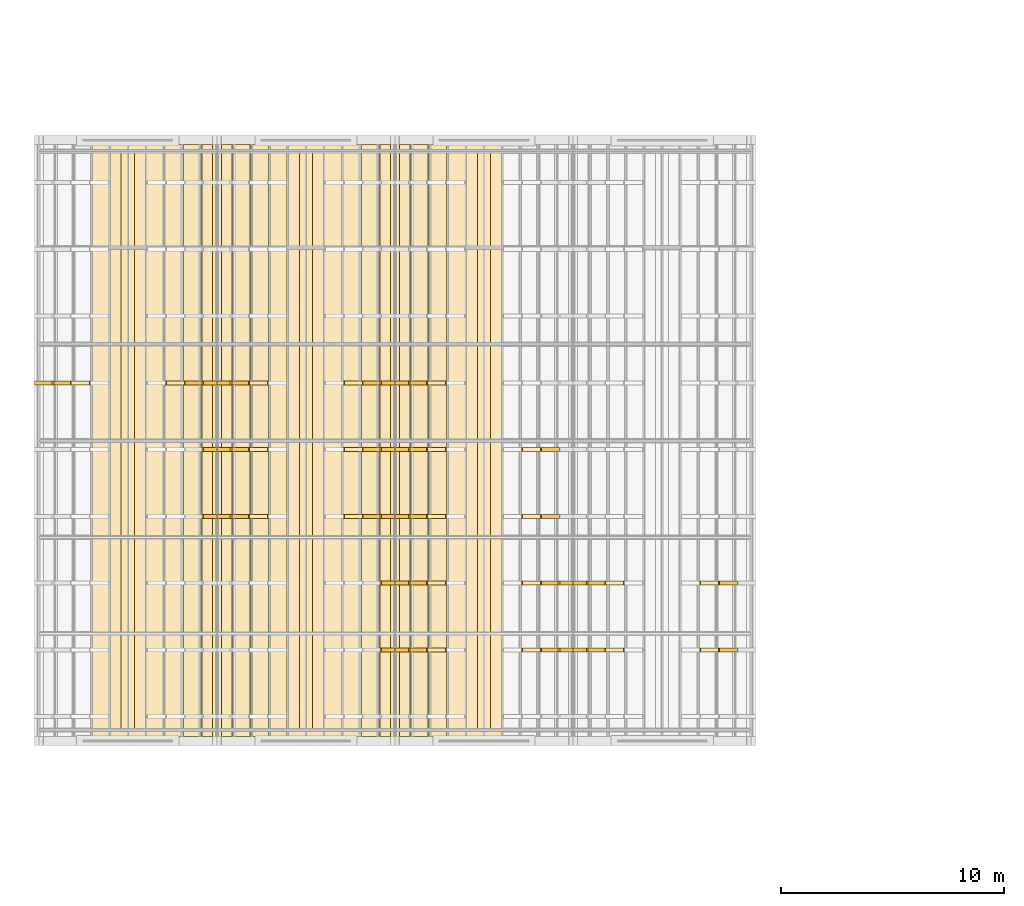
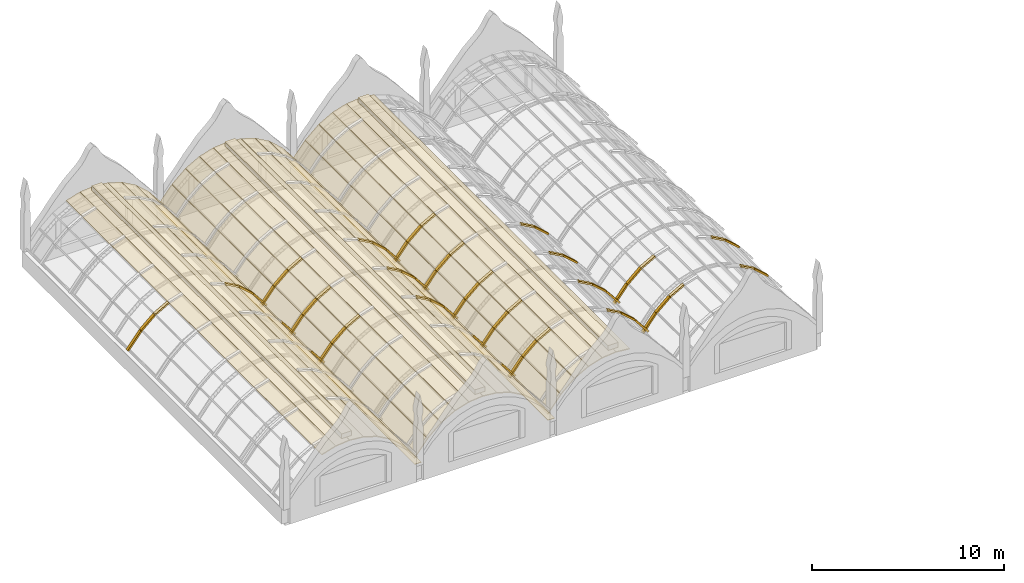
# One storey, part 95 of 111: 91 coverings.
"""IFC4 building model written with IfcOpenShell, lengths in metres."""

from ifc_helpers import new_model, si_unit, direction, frame, origin, origin_2d, place, context, subcontext, project, spatial, polyline, rectangle, outline, extrude, material, layer, layer_set, type_object, element, save


model = new_model("IFC4")

# Units and contexts
model_context = context("Model", 3, precision=1e-05, world=origin(), true_north=direction((0.0, 1.0)))
body_context = subcontext(model_context, "Body", "Model", "MODEL_VIEW")
ifc_project = project(units=[si_unit("LENGTHUNIT", "METRE"), si_unit("AREAUNIT", "SQUARE_METRE"), si_unit("VOLUMEUNIT", "CUBIC_METRE"), si_unit("PLANEANGLEUNIT", "RADIAN"), si_unit("MASSUNIT", "GRAM", prefix="KILO")], contexts=[model_context])

# Site, building, storey
site_placement = place(None, origin())
site = spatial("IfcSite", under=ifc_project, at=site_placement, CompositionType="ELEMENT")
building_placement = place(site_placement, origin())
building = spatial("IfcBuilding", under=site, at=building_placement, Name="Kallimachos Central Library", CompositionType="ELEMENT")
storey_placement = place(building_placement, frame((0.0, 0.0, 14.39990234375)))
storey = spatial("IfcBuildingStorey", under=building, at=storey_placement, Name="L03", CompositionType="ELEMENT", Elevation=14.39990234375)

# Coverings
ifc_material_1 = material(Name="Glazed ceramic ridge tile")
ifc_layer_1 = layer(ifc_material_1, 0.300048828125)
ifc_layer_set_1 = layer_set([ifc_layer_1], Name="Ceramic ridge tile 600")
covering_type_1 = type_object("IfcCoveringType", Name="Ceramic ridge tile 600", PredefinedType="MOLDING", material=ifc_layer_set_1)
for number, where, z_axis, x_axis, name in (
    (1, (10.0, 100.5, 3.77685546875), (0.0, 0.0, 1.0), (1.0, 0.0, 0.0), "Barrel roof 1 ridge tile"),
    (2, (18.0, 100.5, 3.77685546875), (0.0, 0.0, 1.0), (1.0, 0.0, 0.0), "Barrel roof 2 ridge tile"),
    (3, (26.0, 100.5, 3.77685546875), (0.0, 0.0, 1.0), (1.0, 0.0, 0.0), "Barrel roof 3 ridge tile"),
):
    element("IfcCovering", number, at=place(storey_placement, frame(where, z_axis=z_axis, x_axis=x_axis)), inside=storey, type_object=covering_type_1, Name=name, PredefinedType="MOLDING", context=body_context, shape_type="SweptSolid", body=[
        extrude(rectangle(XDim=0.60009765625, YDim=26.0, at=origin_2d()), origin(), (0.0, 0.0, 1.0), 0.300048828125),
    ])
ifc_material_2 = material(Name="Glazed ceramic roll tile")
ifc_layer_2 = layer(ifc_material_2, 0.10009765625)
ifc_layer_set_2 = layer_set([ifc_layer_2], Name="Ceramic roll tile rib 180")
covering_type_2 = type_object("IfcCoveringType", Name="Ceramic roll tile rib 180", PredefinedType="ROOFING", material=ifc_layer_set_2)
covering_1_placement = place(storey_placement, frame((5.8056640625, 103.010009765625, 1.313720703125), z_axis=(-0.780793550648, 0.0, 0.624789109434), x_axis=(0.624789109434, 0.0, 0.780793550648)))
element("IfcCovering", 4, at=covering_1_placement, inside=storey, type_object=covering_type_2, Name="Barrel roof 1 roll tile rib", PredefinedType="ROOFING", context=body_context, shape_type="SweptSolid", body=[
    extrude(outline(polyline([(0.0, 0.0), (1.266052197543391, 0.0), (1.266052197543391, 0.179931640625), (0.0, 0.179931640625), (0.0, 0.0)])), origin(), (0.0, 0.0, -1.0), 0.10009765625),
])
covering_2_placement = place(storey_placement, frame((6.61572265625, 103.010009765625, 2.322021484375), z_axis=(-0.662753768907, 0.0, 0.74883739343), x_axis=(0.74883739343, 0.0, 0.662753768907)))
element("IfcCovering", 5, at=covering_2_placement, inside=storey, type_object=covering_type_2, Name="Barrel roof 1 roll tile rib", PredefinedType="ROOFING", context=body_context, shape_type="SweptSolid", body=[
    extrude(outline(polyline([(0.0, 0.0), (1.0833851300597055, 0.0), (1.0833851300597055, 0.17993164062500003), (0.0, 0.17993164062500003), (0.0, 0.0)])), origin(), (0.0, 0.0, -1.0), 0.10009765625),
])
for number, where, z_axis, x_axis, name in (
    (6, (7.45458984375, 103.010009765625, 3.059814453125), (-0.4891643141, 0.0, 0.872191649703), (0.872191649703, 0.0, 0.4891643141), "Barrel roof 1 roll tile rib"),
    (7, (11.724853515625, 103.010009765625, 3.52001953125), (0.4891643141, 0.0, 0.872191649703), (0.872191649703, 0.0, -0.4891643141), "Barrel roof 1 roll tile rib"),
):
    element("IfcCovering", number, at=place(storey_placement, frame(where, z_axis=z_axis, x_axis=x_axis)), inside=storey, type_object=covering_type_2, Name=name, PredefinedType="ROOFING", context=body_context, shape_type="SweptSolid", body=[
        extrude(outline(polyline([(0.0, 0.0), (0.9407985514475578, 0.0), (0.9407985514475578, 0.179931640625), (0.0, 0.179931640625), (0.0, 0.0)])), origin(), (0.0, 0.0, -1.0), 0.10009765625),
    ])
covering_3_placement = place(storey_placement, frame((12.572998046875, 103.010009765625, 3.0400390625), z_axis=(0.662753768907, 0.0, 0.74883739343), x_axis=(0.74883739343, 0.0, -0.662753768907)))
element("IfcCovering", 8, at=covering_3_placement, inside=storey, type_object=covering_type_2, Name="Barrel roof 1 roll tile rib", PredefinedType="ROOFING", context=body_context, shape_type="SweptSolid", body=[
    extrude(outline(polyline([(0.0, 0.0), (1.0833851300597055, 0.0), (1.0833851300597055, 0.17993164062500003), (0.0, 0.17993164062500003), (0.0, 0.0)])), origin(), (0.0, 0.0, -1.0), 0.10009765625),
])
for number, where, z_axis, x_axis, name in (
    (9, (13.4033203125, 97.010009765625, 2.30224609375), (0.780793550648, 0.0, 0.624789109434), (0.624789109434, 0.0, -0.780793550648), "Barrel roof 1 roll tile rib"),
    (10, (13.4033203125, 100.010009765625, 2.30224609375), (0.780793550648, 0.0, 0.624789109434), (0.624789109434, 0.0, -0.780793550648), "Barrel roof 1 roll tile rib"),
    (11, (13.4033203125, 103.010009765625, 2.30224609375), (0.780793550648, 0.0, 0.624789109434), (0.624789109434, 0.0, -0.780793550648), "Barrel roof 1 roll tile rib"),
    (12, (13.8056640625, 97.010009765625, 1.313720703125), (-0.780793550648, 0.0, 0.624789109434), (0.624789109434, 0.0, 0.780793550648), "Barrel roof 2 roll tile rib"),
    (13, (13.8056640625, 100.010009765625, 1.313720703125), (-0.780793550648, 0.0, 0.624789109434), (0.624789109434, 0.0, 0.780793550648), "Barrel roof 2 roll tile rib"),
    (14, (13.8056640625, 103.010009765625, 1.313720703125), (-0.780793550648, 0.0, 0.624789109434), (0.624789109434, 0.0, 0.780793550648), "Barrel roof 2 roll tile rib"),
):
    element("IfcCovering", number, at=place(storey_placement, frame(where, z_axis=z_axis, x_axis=x_axis)), inside=storey, type_object=covering_type_2, Name=name, PredefinedType="ROOFING", context=body_context, shape_type="SweptSolid", body=[
        extrude(outline(polyline([(0.0, 0.0), (1.266052197543391, 0.0), (1.266052197543391, 0.179931640625), (0.0, 0.179931640625), (0.0, 0.0)])), origin(), (0.0, 0.0, -1.0), 0.10009765625),
    ])
for number, where, z_axis, x_axis, name in (
    (15, (14.61572265625, 97.010009765625, 2.322021484375), (-0.662753768907, 0.0, 0.74883739343), (0.74883739343, 0.0, 0.662753768907), "Barrel roof 2 roll tile rib"),
    (16, (14.61572265625, 100.010009765625, 2.322021484375), (-0.662753768907, 0.0, 0.74883739343), (0.74883739343, 0.0, 0.662753768907), "Barrel roof 2 roll tile rib"),
    (17, (14.61572265625, 103.010009765625, 2.322021484375), (-0.662753768907, 0.0, 0.74883739343), (0.74883739343, 0.0, 0.662753768907), "Barrel roof 2 roll tile rib"),
):
    element("IfcCovering", number, at=place(storey_placement, frame(where, z_axis=z_axis, x_axis=x_axis)), inside=storey, type_object=covering_type_2, Name=name, PredefinedType="ROOFING", context=body_context, shape_type="SweptSolid", body=[
        extrude(outline(polyline([(0.0, 0.0), (1.0833851300597055, 0.0), (1.0833851300597055, 0.17993164062500003), (0.0, 0.17993164062500003), (0.0, 0.0)])), origin(), (0.0, 0.0, -1.0), 0.10009765625),
    ])
for number, where, z_axis, x_axis, name in (
    (18, (15.45458984375, 97.010009765625, 3.059814453125), (-0.4891643141, 0.0, 0.872191649703), (0.872191649703, 0.0, 0.4891643141), "Barrel roof 2 roll tile rib"),
    (19, (15.45458984375, 100.010009765625, 3.059814453125), (-0.4891643141, 0.0, 0.872191649703), (0.872191649703, 0.0, 0.4891643141), "Barrel roof 2 roll tile rib"),
    (20, (15.45458984375, 103.010009765625, 3.059814453125), (-0.4891643141, 0.0, 0.872191649703), (0.872191649703, 0.0, 0.4891643141), "Barrel roof 2 roll tile rib"),
    (21, (19.724853515625, 97.010009765625, 3.52001953125), (0.4891643141, 0.0, 0.872191649703), (0.872191649703, 0.0, -0.4891643141), "Barrel roof 2 roll tile rib"),
    (22, (19.724853515625, 100.010009765625, 3.52001953125), (0.4891643141, 0.0, 0.872191649703), (0.872191649703, 0.0, -0.4891643141), "Barrel roof 2 roll tile rib"),
    (23, (19.724853515625, 103.010009765625, 3.52001953125), (0.4891643141, 0.0, 0.872191649703), (0.872191649703, 0.0, -0.4891643141), "Barrel roof 2 roll tile rib"),
):
    element("IfcCovering", number, at=place(storey_placement, frame(where, z_axis=z_axis, x_axis=x_axis)), inside=storey, type_object=covering_type_2, Name=name, PredefinedType="ROOFING", context=body_context, shape_type="SweptSolid", body=[
        extrude(outline(polyline([(0.0, 0.0), (0.9407985514475578, 0.0), (0.9407985514475578, 0.179931640625), (0.0, 0.179931640625), (0.0, 0.0)])), origin(), (0.0, 0.0, -1.0), 0.10009765625),
    ])
for number, where, z_axis, x_axis, name in (
    (24, (20.572998046875, 97.010009765625, 3.0400390625), (0.662753768907, 0.0, 0.74883739343), (0.74883739343, 0.0, -0.662753768907), "Barrel roof 2 roll tile rib"),
    (25, (20.572998046875, 100.010009765625, 3.0400390625), (0.662753768907, 0.0, 0.74883739343), (0.74883739343, 0.0, -0.662753768907), "Barrel roof 2 roll tile rib"),
    (26, (20.572998046875, 103.010009765625, 3.0400390625), (0.662753768907, 0.0, 0.74883739343), (0.74883739343, 0.0, -0.662753768907), "Barrel roof 2 roll tile rib"),
):
    element("IfcCovering", number, at=place(storey_placement, frame(where, z_axis=z_axis, x_axis=x_axis)), inside=storey, type_object=covering_type_2, Name=name, PredefinedType="ROOFING", context=body_context, shape_type="SweptSolid", body=[
        extrude(outline(polyline([(0.0, 0.0), (1.0833851300597055, 0.0), (1.0833851300597055, 0.17993164062500003), (0.0, 0.17993164062500003), (0.0, 0.0)])), origin(), (0.0, 0.0, -1.0), 0.10009765625),
    ])
for number, where, z_axis, x_axis, name in (
    (27, (21.4033203125, 91.010009765625, 2.30224609375), (0.780793550648, 0.0, 0.624789109434), (0.624789109434, 0.0, -0.780793550648), "Barrel roof 2 roll tile rib"),
    (28, (21.4033203125, 94.010009765625, 2.30224609375), (0.780793550648, 0.0, 0.624789109434), (0.624789109434, 0.0, -0.780793550648), "Barrel roof 2 roll tile rib"),
    (29, (21.4033203125, 97.010009765625, 2.30224609375), (0.780793550648, 0.0, 0.624789109434), (0.624789109434, 0.0, -0.780793550648), "Barrel roof 2 roll tile rib"),
    (30, (21.4033203125, 100.010009765625, 2.30224609375), (0.780793550648, 0.0, 0.624789109434), (0.624789109434, 0.0, -0.780793550648), "Barrel roof 2 roll tile rib"),
    (31, (21.4033203125, 103.010009765625, 2.30224609375), (0.780793550648, 0.0, 0.624789109434), (0.624789109434, 0.0, -0.780793550648), "Barrel roof 2 roll tile rib"),
    (32, (21.8056640625, 91.010009765625, 1.313720703125), (-0.780793550648, 0.0, 0.624789109434), (0.624789109434, 0.0, 0.780793550648), "Barrel roof 3 roll tile rib"),
    (33, (21.8056640625, 94.010009765625, 1.313720703125), (-0.780793550648, 0.0, 0.624789109434), (0.624789109434, 0.0, 0.780793550648), "Barrel roof 3 roll tile rib"),
    (34, (21.8056640625, 97.010009765625, 1.313720703125), (-0.780793550648, 0.0, 0.624789109434), (0.624789109434, 0.0, 0.780793550648), "Barrel roof 3 roll tile rib"),
    (35, (21.8056640625, 100.010009765625, 1.313720703125), (-0.780793550648, 0.0, 0.624789109434), (0.624789109434, 0.0, 0.780793550648), "Barrel roof 3 roll tile rib"),
    (36, (21.8056640625, 103.010009765625, 1.313720703125), (-0.780793550648, 0.0, 0.624789109434), (0.624789109434, 0.0, 0.780793550648), "Barrel roof 3 roll tile rib"),
):
    element("IfcCovering", number, at=place(storey_placement, frame(where, z_axis=z_axis, x_axis=x_axis)), inside=storey, type_object=covering_type_2, Name=name, PredefinedType="ROOFING", context=body_context, shape_type="SweptSolid", body=[
        extrude(outline(polyline([(0.0, 0.0), (1.266052197543391, 0.0), (1.266052197543391, 0.179931640625), (0.0, 0.179931640625), (0.0, 0.0)])), origin(), (0.0, 0.0, -1.0), 0.10009765625),
    ])
for number, where, z_axis, x_axis, name in (
    (37, (22.61572265625, 91.010009765625, 2.322021484375), (-0.662753768907, 0.0, 0.74883739343), (0.74883739343, 0.0, 0.662753768907), "Barrel roof 3 roll tile rib"),
    (38, (22.61572265625, 94.010009765625, 2.322021484375), (-0.662753768907, 0.0, 0.74883739343), (0.74883739343, 0.0, 0.662753768907), "Barrel roof 3 roll tile rib"),
    (39, (22.61572265625, 97.010009765625, 2.322021484375), (-0.662753768907, 0.0, 0.74883739343), (0.74883739343, 0.0, 0.662753768907), "Barrel roof 3 roll tile rib"),
    (40, (22.61572265625, 100.010009765625, 2.322021484375), (-0.662753768907, 0.0, 0.74883739343), (0.74883739343, 0.0, 0.662753768907), "Barrel roof 3 roll tile rib"),
    (41, (22.61572265625, 103.010009765625, 2.322021484375), (-0.662753768907, 0.0, 0.74883739343), (0.74883739343, 0.0, 0.662753768907), "Barrel roof 3 roll tile rib"),
):
    element("IfcCovering", number, at=place(storey_placement, frame(where, z_axis=z_axis, x_axis=x_axis)), inside=storey, type_object=covering_type_2, Name=name, PredefinedType="ROOFING", context=body_context, shape_type="SweptSolid", body=[
        extrude(outline(polyline([(0.0, 0.0), (1.0833851300597055, 0.0), (1.0833851300597055, 0.17993164062500003), (0.0, 0.17993164062500003), (0.0, 0.0)])), origin(), (0.0, 0.0, -1.0), 0.10009765625),
    ])
for number, where, z_axis, x_axis, name in (
    (42, (23.45458984375, 91.010009765625, 3.059814453125), (-0.4891643141, 0.0, 0.872191649703), (0.872191649703, 0.0, 0.4891643141), "Barrel roof 3 roll tile rib"),
    (43, (23.45458984375, 94.010009765625, 3.059814453125), (-0.4891643141, 0.0, 0.872191649703), (0.872191649703, 0.0, 0.4891643141), "Barrel roof 3 roll tile rib"),
    (44, (23.45458984375, 97.010009765625, 3.059814453125), (-0.4891643141, 0.0, 0.872191649703), (0.872191649703, 0.0, 0.4891643141), "Barrel roof 3 roll tile rib"),
    (45, (23.45458984375, 100.010009765625, 3.059814453125), (-0.4891643141, 0.0, 0.872191649703), (0.872191649703, 0.0, 0.4891643141), "Barrel roof 3 roll tile rib"),
    (46, (23.45458984375, 103.010009765625, 3.059814453125), (-0.4891643141, 0.0, 0.872191649703), (0.872191649703, 0.0, 0.4891643141), "Barrel roof 3 roll tile rib"),
    (47, (27.724853515625, 91.010009765625, 3.52001953125), (0.4891643141, 0.0, 0.872191649703), (0.872191649703, 0.0, -0.4891643141), "Barrel roof 3 roll tile rib"),
    (48, (27.724853515625, 94.010009765625, 3.52001953125), (0.4891643141, 0.0, 0.872191649703), (0.872191649703, 0.0, -0.4891643141), "Barrel roof 3 roll tile rib"),
    (49, (27.724853515625, 97.010009765625, 3.52001953125), (0.4891643141, 0.0, 0.872191649703), (0.872191649703, 0.0, -0.4891643141), "Barrel roof 3 roll tile rib"),
    (50, (27.724853515625, 100.010009765625, 3.52001953125), (0.4891643141, 0.0, 0.872191649703), (0.872191649703, 0.0, -0.4891643141), "Barrel roof 3 roll tile rib"),
):
    element("IfcCovering", number, at=place(storey_placement, frame(where, z_axis=z_axis, x_axis=x_axis)), inside=storey, type_object=covering_type_2, Name=name, PredefinedType="ROOFING", context=body_context, shape_type="SweptSolid", body=[
        extrude(outline(polyline([(0.0, 0.0), (0.9407985514475578, 0.0), (0.9407985514475578, 0.179931640625), (0.0, 0.179931640625), (0.0, 0.0)])), origin(), (0.0, 0.0, -1.0), 0.10009765625),
    ])
for number, where, z_axis, x_axis, name in (
    (51, (28.572998046875, 91.010009765625, 3.0400390625), (0.662753768907, 0.0, 0.74883739343), (0.74883739343, 0.0, -0.662753768907), "Barrel roof 3 roll tile rib"),
    (52, (28.572998046875, 94.010009765625, 3.0400390625), (0.662753768907, 0.0, 0.74883739343), (0.74883739343, 0.0, -0.662753768907), "Barrel roof 3 roll tile rib"),
    (53, (28.572998046875, 97.010009765625, 3.0400390625), (0.662753768907, 0.0, 0.74883739343), (0.74883739343, 0.0, -0.662753768907), "Barrel roof 3 roll tile rib"),
    (54, (28.572998046875, 100.010009765625, 3.0400390625), (0.662753768907, 0.0, 0.74883739343), (0.74883739343, 0.0, -0.662753768907), "Barrel roof 3 roll tile rib"),
):
    element("IfcCovering", number, at=place(storey_placement, frame(where, z_axis=z_axis, x_axis=x_axis)), inside=storey, type_object=covering_type_2, Name=name, PredefinedType="ROOFING", context=body_context, shape_type="SweptSolid", body=[
        extrude(outline(polyline([(0.0, 0.0), (1.0833851300597055, 0.0), (1.0833851300597055, 0.17993164062500003), (0.0, 0.17993164062500003), (0.0, 0.0)])), origin(), (0.0, 0.0, -1.0), 0.10009765625),
    ])
for number, where, z_axis, x_axis, name in (
    (55, (29.4033203125, 91.010009765625, 2.30224609375), (0.780793550648, 0.0, 0.624789109434), (0.624789109434, 0.0, -0.780793550648), "Barrel roof 3 roll tile rib"),
    (56, (29.4033203125, 94.010009765625, 2.30224609375), (0.780793550648, 0.0, 0.624789109434), (0.624789109434, 0.0, -0.780793550648), "Barrel roof 3 roll tile rib"),
    (57, (29.8056640625, 91.010009765625, 1.313720703125), (-0.780793550648, 0.0, 0.624789109434), (0.624789109434, 0.0, 0.780793550648), "Barrel roof 4 roll tile rib"),
    (58, (29.8056640625, 94.010009765625, 1.313720703125), (-0.780793550648, 0.0, 0.624789109434), (0.624789109434, 0.0, 0.780793550648), "Barrel roof 4 roll tile rib"),
):
    element("IfcCovering", number, at=place(storey_placement, frame(where, z_axis=z_axis, x_axis=x_axis)), inside=storey, type_object=covering_type_2, Name=name, PredefinedType="ROOFING", context=body_context, shape_type="SweptSolid", body=[
        extrude(outline(polyline([(0.0, 0.0), (1.266052197543391, 0.0), (1.266052197543391, 0.179931640625), (0.0, 0.179931640625), (0.0, 0.0)])), origin(), (0.0, 0.0, -1.0), 0.10009765625),
    ])
for number, where, z_axis, x_axis, name in (
    (59, (30.61572265625, 91.010009765625, 2.322021484375), (-0.662753768907, 0.0, 0.74883739343), (0.74883739343, 0.0, 0.662753768907), "Barrel roof 4 roll tile rib"),
    (60, (30.61572265625, 94.010009765625, 2.322021484375), (-0.662753768907, 0.0, 0.74883739343), (0.74883739343, 0.0, 0.662753768907), "Barrel roof 4 roll tile rib"),
):
    element("IfcCovering", number, at=place(storey_placement, frame(where, z_axis=z_axis, x_axis=x_axis)), inside=storey, type_object=covering_type_2, Name=name, PredefinedType="ROOFING", context=body_context, shape_type="SweptSolid", body=[
        extrude(outline(polyline([(0.0, 0.0), (1.0833851300597055, 0.0), (1.0833851300597055, 0.17993164062500003), (0.0, 0.17993164062500003), (0.0, 0.0)])), origin(), (0.0, 0.0, -1.0), 0.10009765625),
    ])
for number, where, z_axis, x_axis, name in (
    (61, (31.45458984375, 91.010009765625, 3.059814453125), (-0.4891643141, 0.0, 0.872191649703), (0.872191649703, 0.0, 0.4891643141), "Barrel roof 4 roll tile rib"),
    (62, (31.45458984375, 94.010009765625, 3.059814453125), (-0.4891643141, 0.0, 0.872191649703), (0.872191649703, 0.0, 0.4891643141), "Barrel roof 4 roll tile rib"),
    (63, (35.724853515625, 91.010009765625, 3.52001953125), (0.4891643141, 0.0, 0.872191649703), (0.872191649703, 0.0, -0.4891643141), "Barrel roof 4 roll tile rib"),
    (64, (35.724853515625, 94.010009765625, 3.52001953125), (0.4891643141, 0.0, 0.872191649703), (0.872191649703, 0.0, -0.4891643141), "Barrel roof 4 roll tile rib"),
):
    element("IfcCovering", number, at=place(storey_placement, frame(where, z_axis=z_axis, x_axis=x_axis)), inside=storey, type_object=covering_type_2, Name=name, PredefinedType="ROOFING", context=body_context, shape_type="SweptSolid", body=[
        extrude(outline(polyline([(0.0, 0.0), (0.9407985514475578, 0.0), (0.9407985514475578, 0.179931640625), (0.0, 0.179931640625), (0.0, 0.0)])), origin(), (0.0, 0.0, -1.0), 0.10009765625),
    ])
for number, where, z_axis, x_axis, name in (
    (65, (36.572998046875, 91.010009765625, 3.0400390625), (0.662753768907, 0.0, 0.74883739343), (0.74883739343, 0.0, -0.662753768907), "Barrel roof 4 roll tile rib"),
    (66, (36.572998046875, 94.010009765625, 3.0400390625), (0.662753768907, 0.0, 0.74883739343), (0.74883739343, 0.0, -0.662753768907), "Barrel roof 4 roll tile rib"),
):
    element("IfcCovering", number, at=place(storey_placement, frame(where, z_axis=z_axis, x_axis=x_axis)), inside=storey, type_object=covering_type_2, Name=name, PredefinedType="ROOFING", context=body_context, shape_type="SweptSolid", body=[
        extrude(outline(polyline([(0.0, 0.0), (1.0833851300597055, 0.0), (1.0833851300597055, 0.17993164062500003), (0.0, 0.17993164062500003), (0.0, 0.0)])), origin(), (0.0, 0.0, -1.0), 0.10009765625),
    ])
ifc_material_3 = material(Name="Lead-coated copper sheet")
ifc_layer_3 = layer(ifc_material_3, 0.02001953125)
ifc_layer_set_3 = layer_set([ifc_layer_3], Name="Valley gutter lining")
covering_type_3 = type_object("IfcCoveringType", Name="Valley gutter lining", PredefinedType="MEMBRANE", material=ifc_layer_set_3)
for number, where, z_axis, x_axis, name in (
    (67, (14.0, 100.5, 1.0), (0.0, 0.0, 1.0), (1.0, 0.0, 0.0), "Gutter lining line 2"),
    (68, (22.0, 100.5, 1.0), (0.0, 0.0, 1.0), (1.0, 0.0, 0.0), "Gutter lining line 3"),
):
    element("IfcCovering", number, at=place(storey_placement, frame(where, z_axis=z_axis, x_axis=x_axis)), inside=storey, type_object=covering_type_3, Name=name, PredefinedType="MEMBRANE", context=body_context, shape_type="SweptSolid", body=[
        extrude(rectangle(XDim=0.39990234375, YDim=27.0, at=origin_2d()), origin(), (0.0, 0.0, 1.0), 0.02001953125),
    ])
ifc_material_4 = material(Name="Vitreous ceramic tile")
ifc_layer_4 = layer(ifc_material_4, 0.06005859375)
ifc_layer_set_4 = layer_set([ifc_layer_4], Name="Vitreous ceramic tile roofing")
covering_type_4 = type_object("IfcCoveringType", Name="Vitreous ceramic tile roofing", PredefinedType="ROOFING", material=ifc_layer_set_4)
covering_4_placement = place(storey_placement, frame((8.335693359375, 87.199951171875, 3.437744140625), z_axis=(-0.296016071282, 0.0, 0.955182959198), x_axis=(0.955182959198, 0.0, 0.296016071282)))
element("IfcCovering", 69, at=covering_4_placement, inside=storey, type_object=covering_type_4, Name="Barrel roof 1 tile panel 4", PredefinedType="ROOFING", context=body_context, shape_type="SweptSolid", body=[
    extrude(outline(polyline([(0.0, 0.0), (0.8618685871353191, 0.0), (0.8618685871353191, 26.600097656250007), (0.0, 26.600097656250007), (0.0, 0.0)])), origin(), (0.0, 0.0, -1.0), 0.06005859375),
])
for number, where, z_axis, x_axis, name in (
    (70, (9.170654296875, 87.199951171875, 3.6953125), (-0.098247538834, 0.0, 0.995162007471), (0.995162007471, 0.0, 0.098247538834), "Barrel roof 1 tile panel 5"),
    (71, (10.005859375, 87.199951171875, 3.776611328125), (0.098247538834, 0.0, 0.995162007471), (0.995162007471, 0.0, -0.098247538834), "Barrel roof 1 tile panel 6"),
):
    element("IfcCovering", number, at=place(storey_placement, frame(where, z_axis=z_axis, x_axis=x_axis)), inside=storey, type_object=covering_type_4, Name=name, PredefinedType="ROOFING", context=body_context, shape_type="SweptSolid", body=[
        extrude(outline(polyline([(0.0, 0.0), (0.8274897171948987, 0.0), (0.8274897171948987, 26.60009765625), (0.0, 26.60009765625), (0.0, 0.0)])), origin(), (0.0, 0.0, -1.0), 0.06005859375),
    ])
covering_5_placement = place(storey_placement, frame((10.841064453125, 87.199951171875, 3.69287109375), z_axis=(0.296016071282, 0.0, 0.955182959198), x_axis=(0.955182959198, 0.0, -0.296016071282)))
element("IfcCovering", 72, at=covering_5_placement, inside=storey, type_object=covering_type_4, Name="Barrel roof 1 tile panel 7", PredefinedType="ROOFING", context=body_context, shape_type="SweptSolid", body=[
    extrude(outline(polyline([(0.0, 0.0), (0.8618685871353191, 0.0), (0.8618685871353191, 26.600097656250007), (0.0, 26.600097656250007), (0.0, 0.0)])), origin(), (0.0, 0.0, -1.0), 0.06005859375),
])
covering_6_placement = place(storey_placement, frame((11.67578125, 87.199951171875, 3.432861328125), z_axis=(0.489361685655, 0.0, 0.872080925496), x_axis=(0.872080925496, 0.0, -0.489361685655)))
element("IfcCovering", 73, at=covering_6_placement, inside=storey, type_object=covering_type_4, Name="Barrel roof 1 tile panel 8", PredefinedType="ROOFING", context=body_context, shape_type="SweptSolid", body=[
    extrude(outline(polyline([(0.0, 0.0), (0.9409180004236665, 0.0), (0.9409180004236665, 26.60009765625), (0.0, 26.60009765625), (0.0, 0.0)])), origin(), (0.0, 0.0, -1.0), 0.06005859375),
])
covering_7_placement = place(storey_placement, frame((12.5068359375, 87.199951171875, 2.965087890625), z_axis=(0.662627374015, 0.0, 0.748949239405), x_axis=(0.748949239405, 0.0, -0.662627374015)))
element("IfcCovering", 74, at=covering_7_placement, inside=storey, type_object=covering_type_4, Name="Barrel roof 1 tile panel 9", PredefinedType="ROOFING", context=body_context, shape_type="SweptSolid", body=[
    extrude(outline(polyline([(0.0, 0.0), (1.0832233403682552, 0.0), (1.0832233403682552, 26.60009765625), (0.0, 26.60009765625), (0.0, 0.0)])), origin(), (0.0, 0.0, -1.0), 0.06005859375),
])
for number, where, z_axis, x_axis, name in (
    (75, (13.3251953125, 87.199951171875, 2.23974609375), (0.780793550648, 0.0, 0.624789109434), (0.624789109434, 0.0, -0.780793550648), "Barrel roof 1 tile panel 10"),
    (76, (13.8837890625, 87.199951171875, 1.251220703125), (-0.780793550648, 0.0, 0.624789109434), (0.624789109434, 0.0, 0.780793550648), "Barrel roof 2 tile panel 1"),
):
    element("IfcCovering", number, at=place(storey_placement, frame(where, z_axis=z_axis, x_axis=x_axis)), inside=storey, type_object=covering_type_4, Name=name, PredefinedType="ROOFING", context=body_context, shape_type="SweptSolid", body=[
        extrude(outline(polyline([(0.0, 0.0), (1.266052197543391, 0.0), (1.266052197543391, 26.60009765625), (0.0, 26.60009765625), (0.0, 0.0)])), origin(), (0.0, 0.0, -1.0), 0.06005859375),
    ])
covering_8_placement = place(storey_placement, frame((14.681884765625, 87.199951171875, 2.247314453125), z_axis=(-0.662627374015, 0.0, 0.748949239405), x_axis=(0.748949239405, 0.0, 0.662627374015)))
element("IfcCovering", 77, at=covering_8_placement, inside=storey, type_object=covering_type_4, Name="Barrel roof 2 tile panel 2", PredefinedType="ROOFING", context=body_context, shape_type="SweptSolid", body=[
    extrude(outline(polyline([(0.0, 0.0), (1.0832233403682552, 0.0), (1.0832233403682552, 26.60009765625), (0.0, 26.60009765625), (0.0, 0.0)])), origin(), (0.0, 0.0, -1.0), 0.06005859375),
])
covering_9_placement = place(storey_placement, frame((15.503662109375, 87.199951171875, 2.972412109375), z_axis=(-0.489361685655, 0.0, 0.872080925496), x_axis=(0.872080925496, 0.0, 0.489361685655)))
element("IfcCovering", 78, at=covering_9_placement, inside=storey, type_object=covering_type_4, Name="Barrel roof 2 tile panel 3", PredefinedType="ROOFING", context=body_context, shape_type="SweptSolid", body=[
    extrude(outline(polyline([(0.0, 0.0), (0.9409180004236665, 0.0), (0.9409180004236665, 26.60009765625), (0.0, 26.60009765625), (0.0, 0.0)])), origin(), (0.0, 0.0, -1.0), 0.06005859375),
])
covering_10_placement = place(storey_placement, frame((16.335693359375, 87.199951171875, 3.437744140625), z_axis=(-0.296016071282, 0.0, 0.955182959198), x_axis=(0.955182959198, 0.0, 0.296016071282)))
element("IfcCovering", 79, at=covering_10_placement, inside=storey, type_object=covering_type_4, Name="Barrel roof 2 tile panel 4", PredefinedType="ROOFING", context=body_context, shape_type="SweptSolid", body=[
    extrude(outline(polyline([(0.0, 0.0), (0.8618685871353191, 0.0), (0.8618685871353191, 26.600097656250007), (0.0, 26.600097656250007), (0.0, 0.0)])), origin(), (0.0, 0.0, -1.0), 0.06005859375),
])
for number, where, z_axis, x_axis, name in (
    (80, (17.170654296875, 87.199951171875, 3.6953125), (-0.098247538834, 0.0, 0.995162007471), (0.995162007471, 0.0, 0.098247538834), "Barrel roof 2 tile panel 5"),
    (81, (18.005859375, 87.199951171875, 3.776611328125), (0.098247538834, 0.0, 0.995162007471), (0.995162007471, 0.0, -0.098247538834), "Barrel roof 2 tile panel 6"),
):
    element("IfcCovering", number, at=place(storey_placement, frame(where, z_axis=z_axis, x_axis=x_axis)), inside=storey, type_object=covering_type_4, Name=name, PredefinedType="ROOFING", context=body_context, shape_type="SweptSolid", body=[
        extrude(outline(polyline([(0.0, 0.0), (0.8274897171948987, 0.0), (0.8274897171948987, 26.60009765625), (0.0, 26.60009765625), (0.0, 0.0)])), origin(), (0.0, 0.0, -1.0), 0.06005859375),
    ])
covering_11_placement = place(storey_placement, frame((18.841064453125, 87.199951171875, 3.69287109375), z_axis=(0.296016071282, 0.0, 0.955182959198), x_axis=(0.955182959198, 0.0, -0.296016071282)))
element("IfcCovering", 82, at=covering_11_placement, inside=storey, type_object=covering_type_4, Name="Barrel roof 2 tile panel 7", PredefinedType="ROOFING", context=body_context, shape_type="SweptSolid", body=[
    extrude(outline(polyline([(0.0, 0.0), (0.8618685871353191, 0.0), (0.8618685871353191, 26.600097656250007), (0.0, 26.600097656250007), (0.0, 0.0)])), origin(), (0.0, 0.0, -1.0), 0.06005859375),
])
covering_12_placement = place(storey_placement, frame((19.67578125, 87.199951171875, 3.432861328125), z_axis=(0.489361685655, 0.0, 0.872080925496), x_axis=(0.872080925496, 0.0, -0.489361685655)))
element("IfcCovering", 83, at=covering_12_placement, inside=storey, type_object=covering_type_4, Name="Barrel roof 2 tile panel 8", PredefinedType="ROOFING", context=body_context, shape_type="SweptSolid", body=[
    extrude(outline(polyline([(0.0, 0.0), (0.9409180004236665, 0.0), (0.9409180004236665, 26.60009765625), (0.0, 26.60009765625), (0.0, 0.0)])), origin(), (0.0, 0.0, -1.0), 0.06005859375),
])
covering_13_placement = place(storey_placement, frame((20.5068359375, 87.199951171875, 2.965087890625), z_axis=(0.662627374015, 0.0, 0.748949239405), x_axis=(0.748949239405, 0.0, -0.662627374015)))
element("IfcCovering", 84, at=covering_13_placement, inside=storey, type_object=covering_type_4, Name="Barrel roof 2 tile panel 9", PredefinedType="ROOFING", context=body_context, shape_type="SweptSolid", body=[
    extrude(outline(polyline([(0.0, 0.0), (1.0832233403682552, 0.0), (1.0832233403682552, 26.60009765625), (0.0, 26.60009765625), (0.0, 0.0)])), origin(), (0.0, 0.0, -1.0), 0.06005859375),
])
for number, where, z_axis, x_axis, name in (
    (85, (21.3251953125, 87.199951171875, 2.23974609375), (0.780793550648, 0.0, 0.624789109434), (0.624789109434, 0.0, -0.780793550648), "Barrel roof 2 tile panel 10"),
    (86, (21.8837890625, 87.199951171875, 1.251220703125), (-0.780793550648, 0.0, 0.624789109434), (0.624789109434, 0.0, 0.780793550648), "Barrel roof 3 tile panel 1"),
):
    element("IfcCovering", number, at=place(storey_placement, frame(where, z_axis=z_axis, x_axis=x_axis)), inside=storey, type_object=covering_type_4, Name=name, PredefinedType="ROOFING", context=body_context, shape_type="SweptSolid", body=[
        extrude(outline(polyline([(0.0, 0.0), (1.266052197543391, 0.0), (1.266052197543391, 26.60009765625), (0.0, 26.60009765625), (0.0, 0.0)])), origin(), (0.0, 0.0, -1.0), 0.06005859375),
    ])
covering_14_placement = place(storey_placement, frame((22.681884765625, 87.199951171875, 2.247314453125), z_axis=(-0.662627374015, 0.0, 0.748949239405), x_axis=(0.748949239405, 0.0, 0.662627374015)))
element("IfcCovering", 87, at=covering_14_placement, inside=storey, type_object=covering_type_4, Name="Barrel roof 3 tile panel 2", PredefinedType="ROOFING", context=body_context, shape_type="SweptSolid", body=[
    extrude(outline(polyline([(0.0, 0.0), (1.0832233403682552, 0.0), (1.0832233403682552, 26.60009765625), (0.0, 26.60009765625), (0.0, 0.0)])), origin(), (0.0, 0.0, -1.0), 0.06005859375),
])
covering_15_placement = place(storey_placement, frame((23.503662109375, 87.199951171875, 2.972412109375), z_axis=(-0.489361685655, 0.0, 0.872080925496), x_axis=(0.872080925496, 0.0, 0.489361685655)))
element("IfcCovering", 88, at=covering_15_placement, inside=storey, type_object=covering_type_4, Name="Barrel roof 3 tile panel 3", PredefinedType="ROOFING", context=body_context, shape_type="SweptSolid", body=[
    extrude(outline(polyline([(0.0, 0.0), (0.9409180004236665, 0.0), (0.9409180004236665, 26.60009765625), (0.0, 26.60009765625), (0.0, 0.0)])), origin(), (0.0, 0.0, -1.0), 0.06005859375),
])
covering_16_placement = place(storey_placement, frame((24.335693359375, 87.199951171875, 3.437744140625), z_axis=(-0.296016071282, 0.0, 0.955182959198), x_axis=(0.955182959198, 0.0, 0.296016071282)))
element("IfcCovering", 89, at=covering_16_placement, inside=storey, type_object=covering_type_4, Name="Barrel roof 3 tile panel 4", PredefinedType="ROOFING", context=body_context, shape_type="SweptSolid", body=[
    extrude(outline(polyline([(0.0, 0.0), (0.8618685871353191, 0.0), (0.8618685871353191, 26.600097656250007), (0.0, 26.600097656250007), (0.0, 0.0)])), origin(), (0.0, 0.0, -1.0), 0.06005859375),
])
for number, where, z_axis, x_axis, name in (
    (90, (25.170654296875, 87.199951171875, 3.6953125), (-0.098247538834, 0.0, 0.995162007471), (0.995162007471, 0.0, 0.098247538834), "Barrel roof 3 tile panel 5"),
    (91, (26.005859375, 87.199951171875, 3.776611328125), (0.098247538834, 0.0, 0.995162007471), (0.995162007471, 0.0, -0.098247538834), "Barrel roof 3 tile panel 6"),
):
    element("IfcCovering", number, at=place(storey_placement, frame(where, z_axis=z_axis, x_axis=x_axis)), inside=storey, type_object=covering_type_4, Name=name, PredefinedType="ROOFING", context=body_context, shape_type="SweptSolid", body=[
        extrude(outline(polyline([(0.0, 0.0), (0.8274897171948987, 0.0), (0.8274897171948987, 26.60009765625), (0.0, 26.60009765625), (0.0, 0.0)])), origin(), (0.0, 0.0, -1.0), 0.06005859375),
    ])

save(model, "model.ifc")
